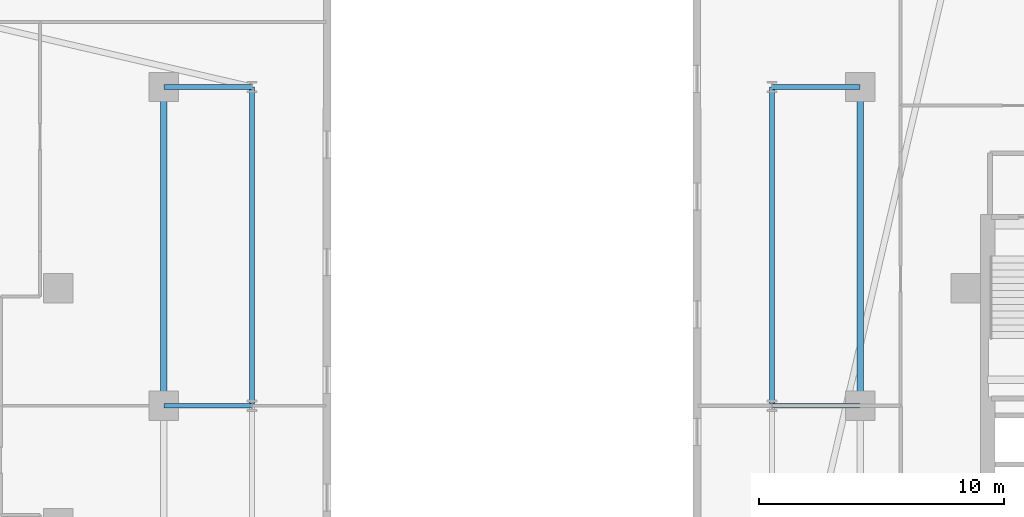
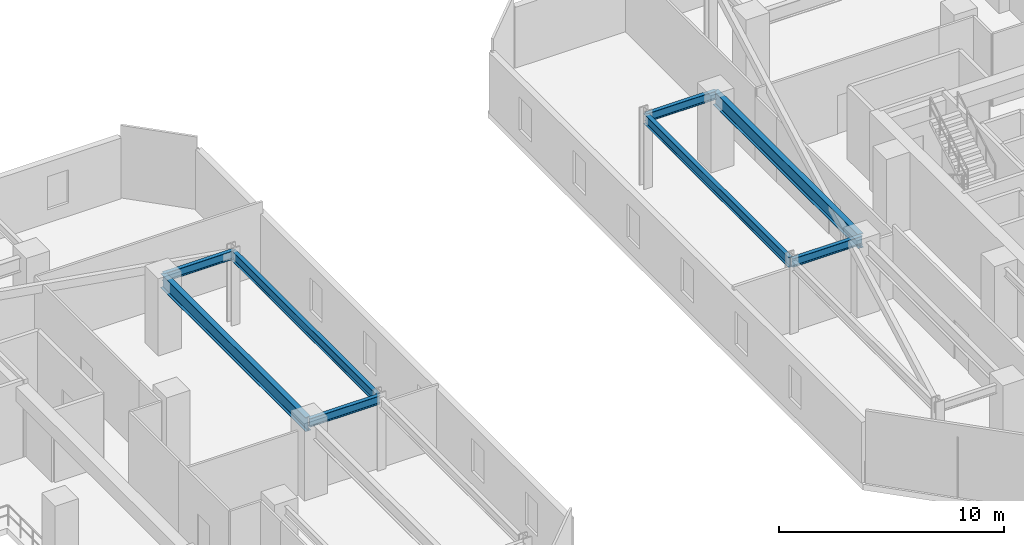
# One storey, part 7 of 30: 8 beams.
"""IFC4 building model written with IfcOpenShell, lengths in metres."""

from ifc_helpers import new_model, si_unit, direction, frame, origin, origin_2d, place, context, subcontext, project, spatial, i_section, extrude, material, material_profile, profile_set, type_object, element, save


model = new_model("IFC4")

# Units and contexts
model_context = context("Model", 3, precision=1e-05, world=origin(), true_north=direction((0.0, 1.0)))
body_context = subcontext(model_context, "Body", "Model", "MODEL_VIEW")
ifc_project = project(units=[si_unit("LENGTHUNIT", "METRE"), si_unit("AREAUNIT", "SQUARE_METRE"), si_unit("VOLUMEUNIT", "CUBIC_METRE"), si_unit("PLANEANGLEUNIT", "RADIAN"), si_unit("MASSUNIT", "GRAM", prefix="KILO")], contexts=[model_context])

# Site, building, storey
site_placement = place(None, origin())
site = spatial("IfcSite", under=ifc_project, at=site_placement, CompositionType="ELEMENT")
building_placement = place(site_placement, origin())
building = spatial("IfcBuilding", under=site, at=building_placement, Name="Thornwick Lancets Civic Towers", CompositionType="ELEMENT")
storey_placement = place(building_placement, frame((0.0, 0.0, 75.89990234375)))
storey = spatial("IfcBuildingStorey", under=building, at=storey_placement, Name="L19", CompositionType="ELEMENT", Elevation=75.89990234375)

# Beams
ifc_material = material(Name="Steel S355JR", Category="steel")
ifc_material_profile_1 = material_profile(ifc_material, i_section(OverallWidth=0.2119140625, OverallDepth=0.54443359375, WebThickness=0.0126953125, FlangeThickness=0.021240234375, FilletRadius=0.0126953125, at=origin_2d()), Name="UKB 533x210x122")
ifc_profile_set_1 = profile_set([ifc_material_profile_1], Name="Steel S355JR")
beam_type_1 = type_object("IfcBeamType", Name="BM_EDGE_533_122", PredefinedType="SPANDREL", material=ifc_profile_set_1)
for number, where, z_axis, x_axis, name in (
    (1, (46.39990234375, 27.080078125, 3.687744140625), (0.0, 1.0, 0.0), (-1.0, 0.0, 0.0), "BM-EDGE-L19-A-S1-2"),
    (2, (67.60009765625, 27.080078125, 3.687744140625), (0.0, 1.0, 0.0), (-1.0, 0.0, 0.0), "BM-EDGE-L19-B-S2-2"),
):
    element("IfcBeam", number, at=place(storey_placement, frame(where, z_axis=z_axis, x_axis=x_axis)), inside=storey, type_object=beam_type_1, Name=name, PredefinedType="SPANDREL", context=body_context, shape_type="SweptSolid", body=[
        extrude(i_section(OverallWidth=0.2119140625, OverallDepth=0.54443359375, WebThickness=0.0126953125, FlangeThickness=0.021240234375, FilletRadius=0.0126953125, at=origin_2d()), origin(), (0.0, 0.0, 1.0), 12.919921875),
    ])
ifc_material_profile_2 = material_profile(ifc_material, i_section(OverallWidth=0.26806640625, OverallDepth=0.769775390625, WebThickness=0.015625, FlangeThickness=0.025390625, FilletRadius=0.0166015625, at=origin_2d()), Name="UKB 762x267x197")
ifc_profile_set_2 = profile_set([ifc_material_profile_2], Name="Steel S355JR")
beam_type_2 = type_object("IfcBeamType", Name="BM_GIRD_762_197", PredefinedType="BEAM", material=ifc_profile_set_2)
for number, where, z_axis, x_axis, name in (
    (3, (42.800048828125, 27.080078125, 3.5751953125), (0.0, 1.0, 0.0), (-1.0, 0.0, 0.0), "BM-SPINE-L19-A-4-5"),
    (4, (71.199951171875, 27.080078125, 3.5751953125), (0.0, 1.0, 0.0), (-1.0, 0.0, 0.0), "BM-SPINE-L19-B-7-8"),
):
    element("IfcBeam", number, at=place(storey_placement, frame(where, z_axis=z_axis, x_axis=x_axis)), inside=storey, type_object=beam_type_2, Name=name, PredefinedType="BEAM", context=body_context, shape_type="SweptSolid", body=[
        extrude(i_section(OverallWidth=0.26806640625, OverallDepth=0.769775390625, WebThickness=0.015625, FlangeThickness=0.025390625, FilletRadius=0.0166015625, at=origin_2d()), origin(), (0.0, 0.0, 1.0), 12.919921875),
    ])
ifc_material_profile_3 = material_profile(ifc_material, i_section(OverallWidth=0.19189453125, OverallDepth=0.46337890625, WebThickness=0.010498046875, FlangeThickness=0.017578125, FilletRadius=0.01025390625, at=origin_2d()), Name="UKB 457x191x89")
ifc_profile_set_3 = profile_set([ifc_material_profile_3], Name="Steel S355JR")
beam_type_3 = type_object("IfcBeamType", Name="BM_JOIST_457_89", PredefinedType="JOIST", material=ifc_profile_set_3)
for number, where, z_axis, x_axis, name in (
    (5, (42.800048828125, 27.0, 3.728515625), (1.0, 0.0, 0.0), (0.0, 1.0, 0.0), "BM-RAD-L19-A05"),
    (6, (42.800048828125, 40.0, 3.728515625), (1.0, 0.0, 0.0), (0.0, 1.0, 0.0), "BM-RAD-L19-A06"),
    (7, (71.199951171875, 27.0, 3.728515625), (-1.0, 0.0, 0.0), (0.0, -1.0, 0.0), "BM-RAD-L19-B08"),
    (8, (71.199951171875, 40.0, 3.728515625), (-1.0, 0.0, 0.0), (0.0, -1.0, 0.0), "BM-RAD-L19-B09"),
):
    element("IfcBeam", number, at=place(storey_placement, frame(where, z_axis=z_axis, x_axis=x_axis)), inside=storey, type_object=beam_type_3, Name=name, PredefinedType="JOIST", context=body_context, shape_type="SweptSolid", body=[
        extrude(i_section(OverallWidth=0.19189453125, OverallDepth=0.46337890625, WebThickness=0.010498046875, FlangeThickness=0.017578125, FilletRadius=0.01025390625, at=origin_2d()), origin(), (0.0, 0.0, 1.0), 3.599853515625),
    ])

save(model, "model.ifc")
